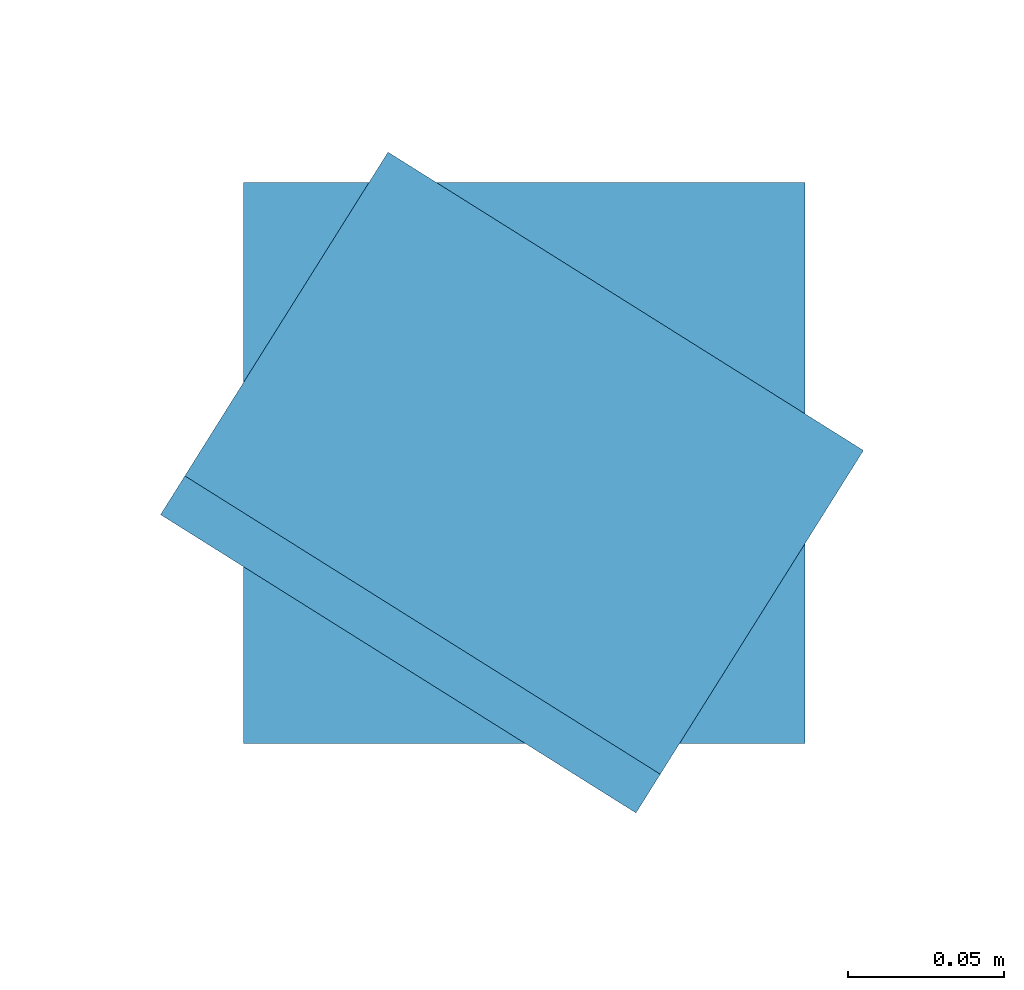
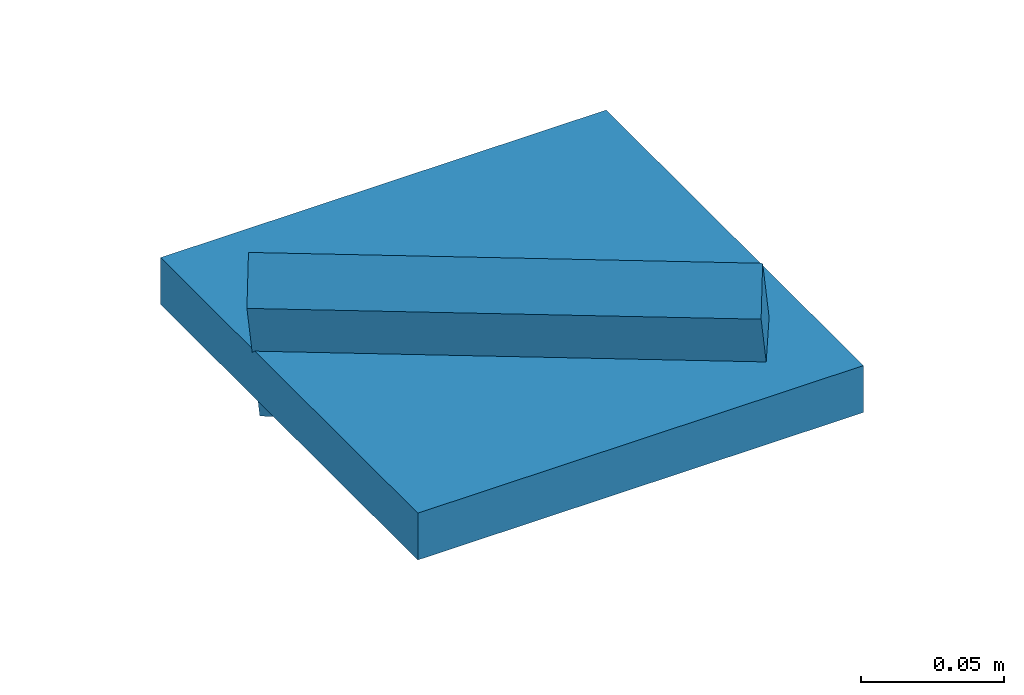
# One storey, part 106 of 173: 2 discrete accessories.
"""IFC4 building model written with IfcOpenShell, lengths in metres."""

from ifc_helpers import new_model, si_unit, direction, frame, origin, origin_2d, place, context, subcontext, project, spatial, rectangle, extrude, material, material_profile, profile_set, type_object, element, save


model = new_model("IFC4")

# Units and contexts
model_context = context("Model", 3, precision=1e-05, world=origin(), true_north=direction((0.0, 1.0)))
body_context = subcontext(model_context, "Body", "Model", "MODEL_VIEW")
ifc_project = project(units=[si_unit("LENGTHUNIT", "METRE"), si_unit("AREAUNIT", "SQUARE_METRE"), si_unit("VOLUMEUNIT", "CUBIC_METRE"), si_unit("PLANEANGLEUNIT", "RADIAN"), si_unit("MASSUNIT", "GRAM", prefix="KILO")], contexts=[model_context])

# Site, building, storey
site_placement = place(None, origin())
site = spatial("IfcSite", under=ifc_project, at=site_placement, CompositionType="ELEMENT")
building_placement = place(site_placement, origin())
building = spatial("IfcBuilding", under=site, at=building_placement, Name="Meseta Stadium", CompositionType="ELEMENT")
storey_placement = place(building_placement, frame((0.0, 0.0, 18.0)))
storey = spatial("IfcBuildingStorey", under=building, at=storey_placement, Name="L03", CompositionType="ELEMENT", Elevation=18.0)

# Discrete accessories
ifc_material = material(Name="Steel S355", Category="steel")
ifc_material_profile = material_profile(ifc_material, rectangle(XDim=0.179931640625, YDim=0.179931640625, at=origin_2d()), Name="PL 180x180")
ifc_profile_set = profile_set([ifc_material_profile], Name="Steel S355")
discrete_accessory_type = type_object("IfcDiscreteAccessoryType", Name="End plate 180x180x20", PredefinedType="ANCHORPLATE", material=ifc_profile_set)
for number, where, z_axis, x_axis, name in (
    (1, (30.68212890625, 65.100341796875, 5.126953125), (0.0, 0.0, 1.0), (1.0, 0.0, 0.0), "End plate of ROOF TRUSS RT-15 post"),
    (2, (30.67431640625, 65.087890625, 5.13330078125), (0.389174620288, 0.620247051084, 0.681055585504), (-0.847063894508, 0.531491071064, 0.0), "End plate of ROOF TRUSS RT-15 diagonal"),
):
    element("IfcDiscreteAccessory", number, at=place(storey_placement, frame(where, z_axis=z_axis, x_axis=x_axis)), inside=storey, type_object=discrete_accessory_type, Name=name, PredefinedType="ANCHORPLATE", context=body_context, shape_type="SweptSolid", body=[
        extrude(rectangle(XDim=0.179931640625, YDim=0.179931640625, at=origin_2d()), origin(), (0.0, 0.0, 1.0), 0.02001953125),
    ])

save(model, "model.ifc")
